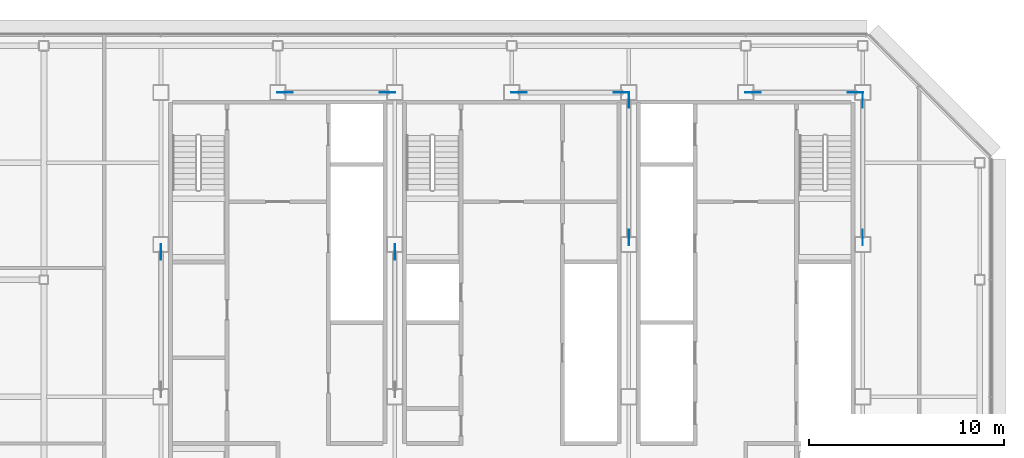
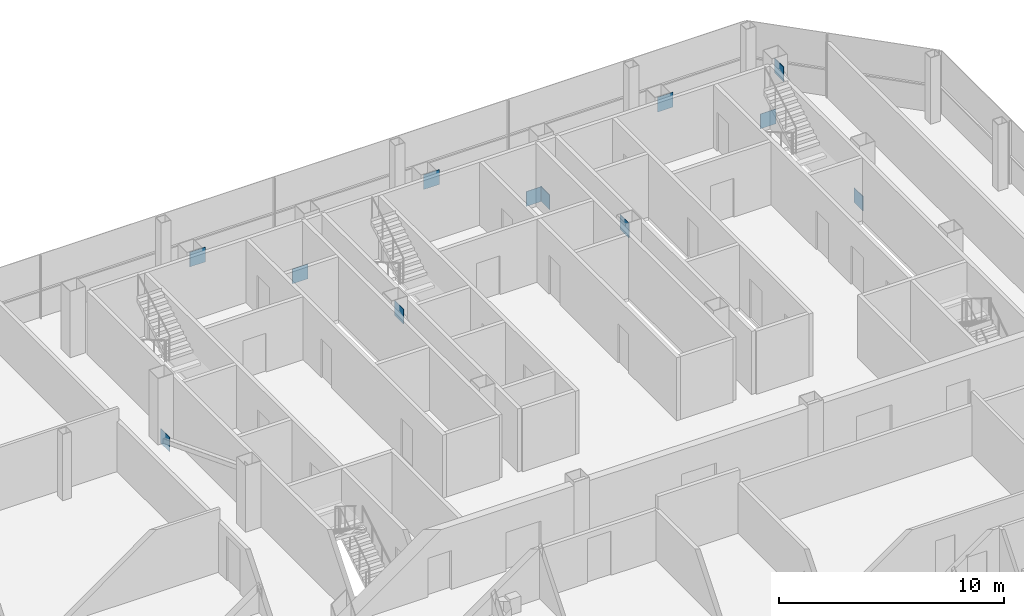
# One storey, part 26 of 28: 12 discrete accessories.
"""IFC4 building model written with IfcOpenShell, lengths in metres."""

from ifc_helpers import new_model, si_unit, direction, frame, origin, origin_2d, place, context, subcontext, project, spatial, rectangle, extrude, material, layer, layer_set, type_object, element, save


model = new_model("IFC4")

# Units and contexts
model_context = context("Model", 3, precision=1e-05, world=origin(), true_north=direction((0.0, 1.0)))
body_context = subcontext(model_context, "Body", "Model", "MODEL_VIEW")
ifc_project = project(units=[si_unit("LENGTHUNIT", "METRE"), si_unit("AREAUNIT", "SQUARE_METRE"), si_unit("VOLUMEUNIT", "CUBIC_METRE"), si_unit("PLANEANGLEUNIT", "RADIAN"), si_unit("MASSUNIT", "GRAM", prefix="KILO")], contexts=[model_context])

# Site, building, storey
site_placement = place(None, origin())
site = spatial("IfcSite", under=ifc_project, at=site_placement, CompositionType="ELEMENT")
building_placement = place(site_placement, origin())
building = spatial("IfcBuilding", under=site, at=building_placement, Name="Sorahane Residences", CompositionType="ELEMENT")
storey_placement = place(building_placement, frame((0.0, 0.0, 301.60009765625)))
storey = spatial("IfcBuildingStorey", under=building, at=storey_placement, Name="L71", CompositionType="ELEMENT", Elevation=301.60009765625)

# Discrete accessories
ifc_material = material(Name="Steel Q355B", Category="steel")
ifc_layer = layer(ifc_material, 0.02490234375)
ifc_layer_set = layer_set([ifc_layer], Name="Node plate Steel Q355B 25")
discrete_accessory_type = type_object("IfcDiscreteAccessoryType", Name="Node plate Steel Q355B 25", PredefinedType="BRACKET", material=ifc_layer_set)
for number, where, z_axis, x_axis, name in (
    (1, (6.0, 37.42724609375, -0.28564453125), (0.0, 0.0, 1.0), (0.0, 1.0, 0.0), "Node plate L71 br"),
    (2, (18.0, 37.42724609375, 2.45556640625), (0.0, 0.0, 1.0), (0.0, 1.0, 0.0), "Node plate L71 br"),
    (3, (30.0, 45.227294921875, -0.28564453125), (0.0, 0.0, 1.0), (0.0, 1.0, 0.0), "Node plate L71 br"),
    (4, (30.0, 38.1728515625, 2.45556640625), (0.0, 0.0, 1.0), (0.0, 1.0, 0.0), "Node plate L71 br"),
    (5, (42.0, 38.1728515625, -0.28564453125), (0.0, 0.0, 1.0), (0.0, 1.0, 0.0), "Node plate L71 br"),
    (6, (42.0, 45.227294921875, 2.45556640625), (0.0, 0.0, 1.0), (0.0, 1.0, 0.0), "Node plate L71 br"),
    (7, (17.634765625, 45.60009765625, -0.29345703125), (0.0, 0.0, 1.0), (1.0, 0.0, 0.0), "Node plate L71 br"),
    (8, (29.634765625, 45.60009765625, -0.29345703125), (0.0, 0.0, 1.0), (1.0, 0.0, 0.0), "Node plate L71 br"),
    (9, (41.634765625, 45.60009765625, -0.29345703125), (0.0, 0.0, 1.0), (1.0, 0.0, 0.0), "Node plate L71 br"),
    (10, (12.365234375, 45.60009765625, 2.462890625), (0.0, 0.0, 1.0), (1.0, 0.0, 0.0), "Node plate L71 br"),
    (11, (24.365234375, 45.60009765625, 2.462890625), (0.0, 0.0, 1.0), (1.0, 0.0, 0.0), "Node plate L71 br"),
    (12, (36.365234375, 45.60009765625, 2.462890625), (0.0, 0.0, 1.0), (1.0, 0.0, 0.0), "Node plate L71 br"),
):
    element("IfcDiscreteAccessory", number, at=place(storey_placement, frame(where, z_axis=z_axis, x_axis=x_axis)), inside=storey, type_object=discrete_accessory_type, Name=name, PredefinedType="BRACKET", context=body_context, shape_type="SweptSolid", body=[
        extrude(rectangle(XDim=0.800048828125, YDim=0.02490234375, at=origin_2d()), origin(), (0.0, 0.0, 1.0), 0.800048828125),
    ])

save(model, "model.ifc")
